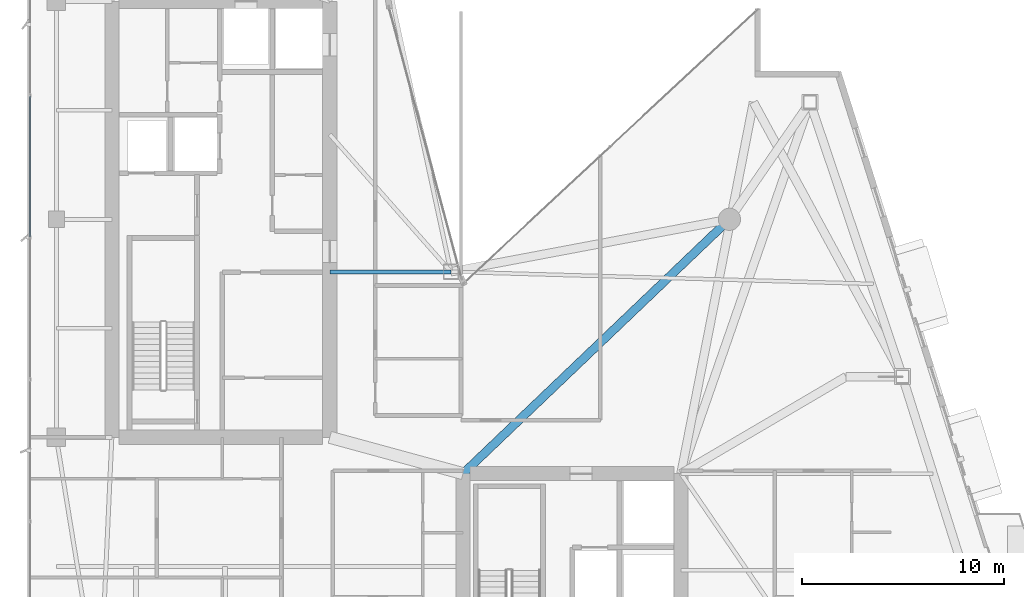
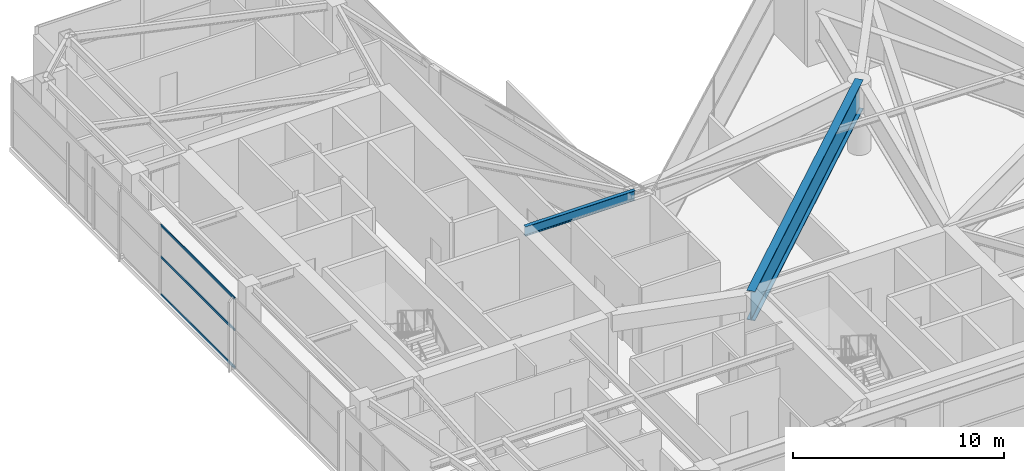
# One storey, part 9 of 27: 3 members, 2 beams, 1 element without a shape of its own.
"""IFC4 building model written with IfcOpenShell, lengths in metres."""

from ifc_helpers import new_model, si_unit, direction, frame, origin, origin_2d, place, context, subcontext, project, spatial, hollow_rectangle, i_section, extrude, material, layer, layer_set, material_profile, profile_set, type_object, element, aggregate, save


model = new_model("IFC4")

# Units and contexts
model_context = context("Model", 3, precision=1e-05, world=origin(), true_north=direction((0.0, 1.0)))
body_context = subcontext(model_context, "Body", "Model", "MODEL_VIEW")
ifc_project = project(units=[si_unit("LENGTHUNIT", "METRE"), si_unit("AREAUNIT", "SQUARE_METRE"), si_unit("VOLUMEUNIT", "CUBIC_METRE"), si_unit("PLANEANGLEUNIT", "RADIAN"), si_unit("MASSUNIT", "GRAM", prefix="KILO")], contexts=[model_context])

# Site, building, storey
site_placement = place(None, origin())
site = spatial("IfcSite", under=ifc_project, at=site_placement, CompositionType="ELEMENT")
building_placement = place(site_placement, origin())
building = spatial("IfcBuilding", under=site, at=building_placement, Name="Calvorn Quay Hotel", CompositionType="ELEMENT")
storey_placement = place(building_placement, frame((0.0, 0.0, 239.300048828125)))
storey = spatial("IfcBuildingStorey", under=building, at=storey_placement, Name="L59", CompositionType="ELEMENT", Elevation=239.300048828125)

# Beams
ifc_material_1 = material(Name="Steel Q355B", Category="steel")
ifc_material_profile_1 = material_profile(ifc_material_1, i_section(OverallWidth=0.199951171875, OverallDepth=0.550048828125, WebThickness=0.010009765625, FlangeThickness=0.01611328125, FilletRadius=0.01806640625, at=origin_2d()), Name="HN550x200x10x16")
ifc_profile_set_1 = profile_set([ifc_material_profile_1], Name="Steel Q355B")
beam_type_1 = type_object("IfcBeamType", Name="BM-GIRD-UPP", PredefinedType="BEAM", material=ifc_profile_set_1)
beam_1_placement = place(storey_placement, frame((21.0, 25.0, 3.77490234375), z_axis=(-1.0, 0.0, 0.0), x_axis=(0.0, -1.0, 0.0)))
element("IfcBeam", 1, at=beam_1_placement, inside=storey, type_object=beam_type_1, Name="Beam BG-L59-W7", PredefinedType="BEAM", context=body_context, shape_type="SweptSolid", body=[
    extrude(i_section(OverallWidth=0.199951171875, OverallDepth=0.550048828125, WebThickness=0.010009765625, FlangeThickness=0.01611328125, FilletRadius=0.01806640625, at=origin_2d()), origin(), (0.0, 0.0, 1.0), 6.0),
])
ifc_material_2 = material(Name="Steel Q420GJC", Category="steel")
ifc_material_profile_2 = material_profile(ifc_material_2, i_section(OverallWidth=0.419921875, OverallDepth=1.699951171875, WebThickness=0.02392578125, FlangeThickness=0.0419921875, FilletRadius=0.02392578125, at=origin_2d()), Name="HN1700x420x24x42")
ifc_profile_set_2 = profile_set([ifc_material_profile_2], Name="Steel Q420GJC")
beam_type_2 = type_object("IfcBeamType", Name="BM-XFER-SAWTOOTH", PredefinedType="BEAM", material=ifc_profile_set_2)
beam_2_placement = place(storey_placement, frame((21.60009765625, 15.0, 3.199951171875), z_axis=(0.723351595578, 0.690479883252, 0.0), x_axis=(-0.690479883252, 0.723351595578, 0.0)))
element("IfcBeam", 2, at=beam_2_placement, inside=storey, type_object=beam_type_2, Name="Beam BG-L59-E4", PredefinedType="BEAM", context=body_context, shape_type="SweptSolid", body=[
    extrude(i_section(OverallWidth=0.419921875, OverallDepth=1.699951171875, WebThickness=0.02392578125, FlangeThickness=0.0419921875, FilletRadius=0.02392578125, at=origin_2d()), origin(), (0.0, 0.0, 1.0), 18.248291015625),
])

# Curtain wall, members
ifc_material_3 = material(Name="Champagne Bronze Anodised Aluminium and Low-E Glass", Category="aluminium")
ifc_layer = layer(ifc_material_3, 0.219970703125)
ifc_layer_set = layer_set([ifc_layer], Name="CW-SYS-Z3")
curtain_wall_type = type_object("IfcCurtainWallType", Name="CW-SYS-Z3", PredefinedType="NOTDEFINED", material=ifc_layer_set)
curtain_wall_placement = place(storey_placement, origin())
curtain_wall = element("IfcCurtainWall", 3, at=curtain_wall_placement, inside=storey, type_object=curtain_wall_type, Name="Tower West Curtain Wall (L59)", PredefinedType="NOTDEFINED")
ifc_material_4 = material(Name="Champagne Bronze Anodised Aluminium 6063-T6", Category="aluminium")
ifc_material_profile_3 = material_profile(ifc_material_4, hollow_rectangle(XDim=0.05810546875, YDim=0.139892578125, WallThickness=0.003173828125, at=origin_2d()), Name="ALU-T140x58x3.2")
ifc_profile_set_3 = profile_set([ifc_material_profile_3], Name="Champagne Bronze Anodised Aluminium 6063-T6")
member_type = type_object("IfcMemberType", Name="CW-SYS-Z3-TRN", PredefinedType="USERDEFINED", material=ifc_profile_set_3)
member_1_placement = place(storey_placement, frame((0.14990234375, 26.72998046875, 0.030029296875), z_axis=(0.0, 1.0, 0.0), x_axis=(-1.0, 0.0, 0.0)))
member_1 = element("IfcMember", 4, at=member_1_placement, type_object=member_type, Name="CW-L59-W transom 4.1", ObjectType="TRANSOM", PredefinedType="USERDEFINED", context=body_context, shape_type="SweptSolid", body=[
    extrude(hollow_rectangle(XDim=0.05810546875, YDim=0.139892578125, WallThickness=0.003173828125, at=origin_2d()), origin(), (0.0, 0.0, 1.0), 6.973388671875),
])
member_2_placement = place(storey_placement, frame((0.14990234375, 26.72998046875, 2.199951171875), z_axis=(0.0, 1.0, 0.0), x_axis=(-1.0, 0.0, 0.0)))
member_2 = element("IfcMember", 5, at=member_2_placement, type_object=member_type, Name="CW-L59-W transom 4.2", ObjectType="TRANSOM", PredefinedType="USERDEFINED", context=body_context, shape_type="SweptSolid", body=[
    extrude(hollow_rectangle(XDim=0.05810546875, YDim=0.139892578125, WallThickness=0.003173828125, at=origin_2d()), origin(), (0.0, 0.0, 1.0), 6.973388671875),
])
member_3_placement = place(storey_placement, frame((0.14990234375, 26.72998046875, 4.02001953125), z_axis=(0.0, 1.0, 0.0), x_axis=(-1.0, 0.0, 0.0)))
member_3 = element("IfcMember", 6, at=member_3_placement, type_object=member_type, Name="CW-L59-W transom 4.3", ObjectType="TRANSOM", PredefinedType="USERDEFINED", context=body_context, shape_type="SweptSolid", body=[
    extrude(hollow_rectangle(XDim=0.05810546875, YDim=0.139892578125, WallThickness=0.003173828125, at=origin_2d()), origin(), (0.0, 0.0, 1.0), 6.973388671875),
])
aggregate(curtain_wall, [member_1, member_2, member_3])

save(model, "model.ifc")
